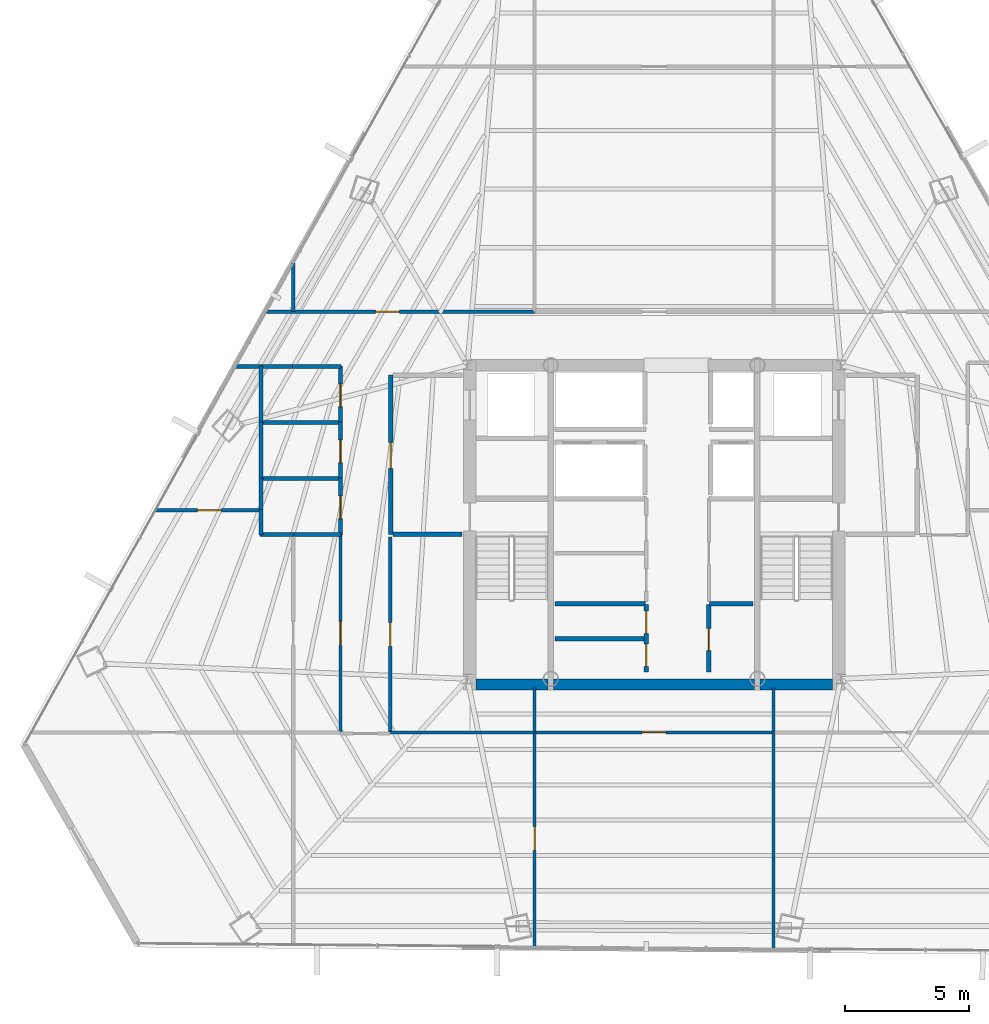
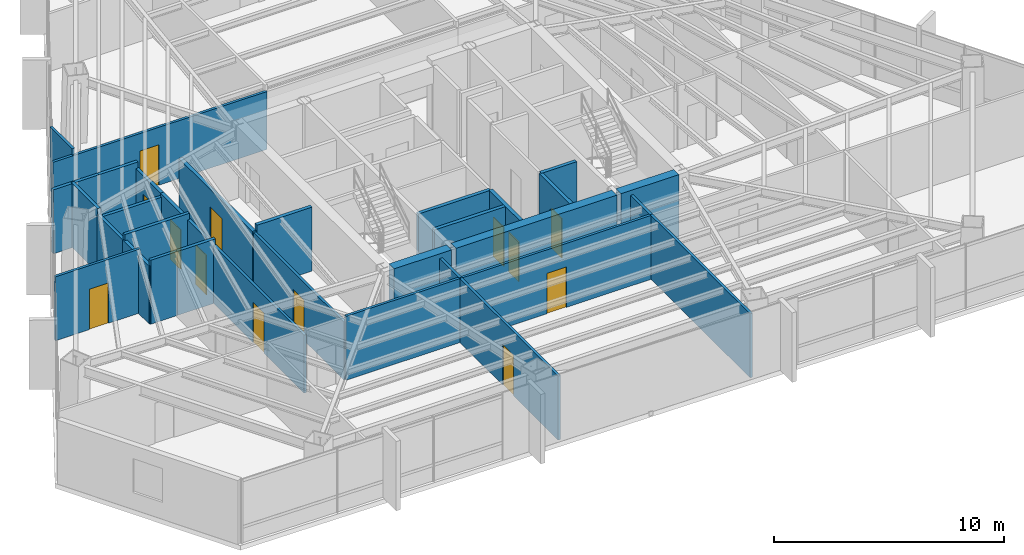
# One storey, part 33 of 38: 34 walls, 13 doors, 13 openings.
"""IFC4 building model written with IfcOpenShell, lengths in metres."""

from ifc_helpers import new_model, si_unit, direction, frame, frame_2d, origin, place, context, subcontext, project, spatial, rectangle, extrude, material, layer, layer_set, type_object, element, fill, save


model = new_model("IFC4")

# Units and contexts
model_context = context("Model", 3, precision=1e-05, world=origin(), true_north=direction((0.0, 1.0)))
body_context = subcontext(model_context, "Body", "Model", "MODEL_VIEW")
ifc_project = project(units=[si_unit("LENGTHUNIT", "METRE"), si_unit("AREAUNIT", "SQUARE_METRE"), si_unit("VOLUMEUNIT", "CUBIC_METRE"), si_unit("PLANEANGLEUNIT", "RADIAN"), si_unit("MASSUNIT", "GRAM", prefix="KILO")], contexts=[model_context])

# Site, building, storey
site_placement = place(None, origin())
site = spatial("IfcSite", under=ifc_project, at=site_placement, CompositionType="ELEMENT")
building_placement = place(site_placement, origin())
building = spatial("IfcBuilding", under=site, at=building_placement, Name="Caelisora Broadcast Tower", CompositionType="ELEMENT")
storey_placement = place(building_placement, frame((0.0, 0.0, 158.5)))
storey = spatial("IfcBuildingStorey", under=building, at=storey_placement, Name="L41", CompositionType="ELEMENT", Elevation=158.5)

# Walls
ifc_material_1 = material(Name="Concrete 50 MPa (AS 3600 S50)", Category="concrete")
ifc_layer_1 = layer(ifc_material_1, 0.449951171875, Name="Concrete 50 MPa (AS 3600 S50)")
ifc_layer_set_1 = layer_set([ifc_layer_1], Name="Concrete 50 MPa (AS 3600 S50)")
wall_type_1 = type_object("IfcWallType", Name="CW5", PredefinedType="SHEAR", material=ifc_layer_set_1)
wall_1_placement = place(storey_placement, frame((30.840087890625, 17.175048828125, 0.0), z_axis=(0.0, 0.0, 1.0), x_axis=(1.0, 0.0, 0.0)))
element("IfcWall", 1, at=wall_1_placement, inside=storey, type_object=wall_type_1, Name="L41 core shear wall CW5", PredefinedType="SHEAR", context=body_context, shape_type="SweptSolid", body=[
    extrude(rectangle(XDim=2.89990234375, YDim=0.449951171875, at=frame_2d((1.449951171875, 0.0))), origin(), (0.0, 0.0, 1.0), 3.64990234375),
])
wall_2_placement = place(storey_placement, frame((33.9599609375, 17.175048828125, 0.0), z_axis=(0.0, 0.0, 1.0), x_axis=(1.0, 0.0, 0.0)))
element("IfcWall", 2, at=wall_2_placement, inside=storey, type_object=wall_type_1, Name="L41 core shear wall CW5", PredefinedType="SHEAR", context=body_context, shape_type="SweptSolid", body=[
    extrude(rectangle(XDim=8.080078125, YDim=0.449951171875, at=frame_2d((4.0400390625, 0.0))), origin(), (0.0, 0.0, 1.0), 3.64990234375),
])
wall_3_placement = place(storey_placement, frame((42.260009765625, 17.175048828125, 0.0), z_axis=(0.0, 0.0, 1.0), x_axis=(1.0, 0.0, 0.0)))
element("IfcWall", 3, at=wall_3_placement, inside=storey, type_object=wall_type_1, Name="L41 core shear wall CW5", PredefinedType="SHEAR", context=body_context, shape_type="SweptSolid", body=[
    extrude(rectangle(XDim=2.89990234375, YDim=0.449951171875, at=frame_2d((1.449951171875, 0.0))), origin(), (0.0, 0.0, 1.0), 3.64990234375),
])

# Wall, opening, door
ifc_material_2 = material(Name="Fire-Rated Gypsum Shaft and Compartment Wall", Category="gypsum")
ifc_layer_2 = layer(ifc_material_2, 0.179931640625, Name="Fire-Rated Gypsum Shaft and Compartment Wall")
ifc_layer_set_2 = layer_set([ifc_layer_2], Name="Fire-Rated Gypsum Shaft and Compartment Wall")
wall_type_2 = type_object("IfcWallType", Name="PW2", PredefinedType="PARTITIONING", material=ifc_layer_set_2)
wall_4_placement = place(storey_placement, frame((27.419921875, 23.199951171875, 0.0), z_axis=(0.0, 0.0, 1.0), x_axis=(0.0, 1.0, 0.0)))
wall_4 = element("IfcWall", 4, at=wall_4_placement, inside=storey, type_object=wall_type_2, Name="L41 fire compartment wall PW2", PredefinedType="PARTITIONING", context=body_context, shape_type="SweptSolid", body=[
    extrude(rectangle(XDim=6.400146484375, YDim=0.179931640625, at=frame_2d((3.2001953125, 0.0))), origin(), (0.0, 0.0, 1.0), 3.077880859375),
])
opening_1_placement = place(wall_4_placement, frame((2.64990234375, 0.0, 0.0)))
opening_1 = element("IfcOpeningElement", 5, at=opening_1_placement, cuts=wall_4, Name="Opening FD02", PredefinedType="OPENING", context=body_context, shape_type="SweptSolid", body=[
    extrude(rectangle(XDim=1.050048828125, YDim=2.14990234375, at=frame_2d((0.52490234375, 1.074951171875))), frame((0.0, 0.10205078125, 0.0), z_axis=(0.0, -1.0, 0.0), x_axis=(1.0, 0.0, 0.0)), (0.0, 0.0, 1.0), 0.203857421875),
])
ifc_material_3 = material(Name="Single-Leaf Steel Fire Lobby Door", Category="steel")
door_type_1 = type_object("IfcDoorType", Name="FD02", OperationType="NOTDEFINED", PredefinedType="DOOR", material=ifc_material_3)
door_1_placement = place(opening_1_placement, origin())
door_1 = element("IfcDoor", 6, at=door_1_placement, inside=storey, type_object=door_type_1, Name="L41 door FD02 (L41-DR-P01D1)", OperationType="SINGLE_SWING_LEFT", OverallHeight=2.14990234375, OverallWidth=1.050048828125, PredefinedType="DOOR", context=body_context, shape_type="SweptSolid", body=[
    extrude(rectangle(XDim=1.050048828125, YDim=2.14990234375, at=frame_2d((0.52490234375, 1.074951171875))), frame((0.0, 0.02490234375, 0.0), z_axis=(0.0, -1.0, 0.0), x_axis=(1.0, 0.0, 0.0)), (0.0, 0.0, 1.0), 0.050048828125),
])
fill(opening_1, door_1)

# Walls
wall_5_placement = place(storey_placement, frame((27.52001953125, 23.199951171875, 0.0), z_axis=(0.0, 0.0, 1.0), x_axis=(1.0, 0.0, 0.0)))
element("IfcWall", 7, at=wall_5_placement, inside=storey, type_object=wall_type_2, Name="L41 fire compartment wall PW2", PredefinedType="PARTITIONING", context=body_context, shape_type="SweptSolid", body=[
    extrude(rectangle(XDim=2.760009765625, YDim=0.179931640625, at=frame_2d((1.3798828125, 0.0))), origin(), (0.0, 0.0, 1.0), 3.39990234375),
])
wall_6_placement = place(storey_placement, frame((34.02001953125, 20.419921875, 0.0), z_axis=(0.0, 0.0, 1.0), x_axis=(1.0, 0.0, 0.0)))
element("IfcWall", 8, at=wall_6_placement, inside=storey, type_object=wall_type_2, Name="L41 fire compartment wall PW2", PredefinedType="PARTITIONING", context=body_context, shape_type="SweptSolid", body=[
    extrude(rectangle(XDim=3.639892578125, YDim=0.179931640625, at=frame_2d((1.81982421875, 0.0))), origin(), (0.0, 0.0, 1.0), 3.39990234375),
])
wall_7_placement = place(storey_placement, frame((40.219970703125, 20.419921875, 0.0), z_axis=(0.0, 0.0, 1.0), x_axis=(1.0, 0.0, 0.0)))
element("IfcWall", 9, at=wall_7_placement, inside=storey, type_object=wall_type_2, Name="L41 fire compartment wall PW2", PredefinedType="PARTITIONING", context=body_context, shape_type="SweptSolid", body=[
    extrude(rectangle(XDim=1.760009765625, YDim=0.179931640625, at=frame_2d((0.8798828125, 0.0))), origin(), (0.0, 0.0, 1.0), 3.39990234375),
])
wall_8_placement = place(storey_placement, frame((34.02001953125, 19.02001953125, 0.0), z_axis=(0.0, 0.0, 1.0), x_axis=(1.0, 0.0, 0.0)))
element("IfcWall", 10, at=wall_8_placement, inside=storey, type_object=wall_type_2, Name="L41 fire compartment wall PW2", PredefinedType="PARTITIONING", context=body_context, shape_type="SweptSolid", body=[
    extrude(rectangle(XDim=3.580078125, YDim=0.179931640625, at=frame_2d((1.7900390625, 0.0))), origin(), (0.0, 0.0, 1.0), 3.39990234375),
])

# Wall, openings, doors
wall_9_placement = place(storey_placement, frame((37.679931640625, 17.679931640625, 0.0), z_axis=(0.0, 0.0, 1.0), x_axis=(0.0, 1.0, 0.0)))
wall_9 = element("IfcWall", 11, at=wall_9_placement, inside=storey, type_object=wall_type_2, Name="L41 fire compartment wall PW2", PredefinedType="PARTITIONING", context=body_context, shape_type="SweptSolid", body=[
    extrude(rectangle(XDim=2.699951171875, YDim=0.179931640625, at=frame_2d((1.35009765625, 0.0))), origin(), (0.0, 0.0, 1.0), 3.39990234375),
])
opening_2_placement = place(wall_9_placement, frame((0.219970703125, 0.0, 0.0)))
opening_2 = element("IfcOpeningElement", 12, at=opening_2_placement, cuts=wall_9, Name="Opening FD03", PredefinedType="OPENING", context=body_context, shape_type="SweptSolid", body=[
    extrude(rectangle(XDim=0.89990234375, YDim=2.10009765625, at=frame_2d((0.449951171875, 1.050048828125))), frame((0.0, 0.10205078125, 0.0), z_axis=(0.0, -1.0, 0.0), x_axis=(1.0, 0.0, 0.0)), (0.0, 0.0, 1.0), 0.203857421875),
])
opening_3_placement = place(wall_9_placement, frame((1.5400390625, 0.0, 0.0)))
opening_3 = element("IfcOpeningElement", 13, at=opening_3_placement, cuts=wall_9, Name="Opening FD03", PredefinedType="OPENING", context=body_context, shape_type="SweptSolid", body=[
    extrude(rectangle(XDim=0.89990234375, YDim=2.10009765625, at=frame_2d((0.449951171875, 1.050048828125))), frame((0.0, 0.10205078125, 0.0), z_axis=(0.0, -1.0, 0.0), x_axis=(1.0, 0.0, 0.0)), (0.0, 0.0, 1.0), 0.203857421875),
])
ifc_material_4 = material(Name="Single-Leaf Steel Riser Fire Access Door", Category="steel")
door_type_2 = type_object("IfcDoorType", Name="FD03", OperationType="NOTDEFINED", PredefinedType="DOOR", material=ifc_material_4)
door_2_placement = place(opening_2_placement, origin())
door_2 = element("IfcDoor", 14, at=door_2_placement, inside=storey, type_object=door_type_2, Name="L41 door FD03 (L41-DR-P15D1)", OperationType="SINGLE_SWING_RIGHT", OverallHeight=2.10009765625, OverallWidth=0.89990234375, PredefinedType="DOOR", context=body_context, shape_type="SweptSolid", body=[
    extrude(rectangle(XDim=0.89990234375, YDim=2.10009765625, at=frame_2d((0.449951171875, 1.050048828125))), frame((0.0, 0.02490234375, 0.0), z_axis=(0.0, -1.0, 0.0), x_axis=(1.0, 0.0, 0.0)), (0.0, 0.0, 1.0), 0.050048828125),
])
fill(opening_2, door_2)
door_3_placement = place(opening_3_placement, origin())
door_3 = element("IfcDoor", 15, at=door_3_placement, inside=storey, type_object=door_type_2, Name="L41 door FD03 (L41-DR-P15D2)", OperationType="SINGLE_SWING_LEFT", OverallHeight=2.10009765625, OverallWidth=0.89990234375, PredefinedType="DOOR", context=body_context, shape_type="SweptSolid", body=[
    extrude(rectangle(XDim=0.89990234375, YDim=2.10009765625, at=frame_2d((0.449951171875, 1.050048828125))), frame((0.0, 0.02490234375, 0.0), z_axis=(0.0, -1.0, 0.0), x_axis=(1.0, 0.0, 0.0)), (0.0, 0.0, 1.0), 0.050048828125),
])
fill(opening_3, door_3)

# Wall, opening, door
wall_10_placement = place(storey_placement, frame((40.199951171875, 17.679931640625, 0.0), z_axis=(0.0, 0.0, 1.0), x_axis=(0.0, 1.0, 0.0)))
wall_10 = element("IfcWall", 16, at=wall_10_placement, inside=storey, type_object=wall_type_2, Name="L41 fire compartment wall PW2", PredefinedType="PARTITIONING", context=body_context, shape_type="SweptSolid", body=[
    extrude(rectangle(XDim=2.699951171875, YDim=0.179931640625, at=frame_2d((1.35009765625, 0.0))), origin(), (0.0, 0.0, 1.0), 3.39990234375),
])
opening_4_placement = place(wall_10_placement, frame((0.85009765625, 0.0, 0.0)))
opening_4 = element("IfcOpeningElement", 17, at=opening_4_placement, cuts=wall_10, Name="Opening FD03", PredefinedType="OPENING", context=body_context, shape_type="SweptSolid", body=[
    extrude(rectangle(XDim=0.89990234375, YDim=2.10009765625, at=frame_2d((0.449951171875, 1.050048828125))), frame((0.0, 0.10205078125, 0.0), z_axis=(0.0, -1.0, 0.0), x_axis=(1.0, 0.0, 0.0)), (0.0, 0.0, 1.0), 0.203857421875),
])
door_4_placement = place(opening_4_placement, origin())
door_4 = element("IfcDoor", 18, at=door_4_placement, inside=storey, type_object=door_type_2, Name="L41 door FD03 (L41-DR-P16D1)", OperationType="SINGLE_SWING_RIGHT", OverallHeight=2.10009765625, OverallWidth=0.89990234375, PredefinedType="DOOR", context=body_context, shape_type="SweptSolid", body=[
    extrude(rectangle(XDim=0.89990234375, YDim=2.10009765625, at=frame_2d((0.449951171875, 1.050048828125))), frame((0.0, 0.02490234375, 0.0), z_axis=(0.0, -1.0, 0.0), x_axis=(1.0, 0.0, 0.0)), (0.0, 0.0, 1.0), 0.050048828125),
])
fill(opening_4, door_4)

ifc_material_5 = material(Name="Acoustic Steel-Stud Plasterboard Partition", Category="gypsum")
ifc_layer_3 = layer(ifc_material_5, 0.1298828125, Name="Acoustic Steel-Stud Plasterboard Partition")
ifc_layer_set_3 = layer_set([ifc_layer_3], Name="Acoustic Steel-Stud Plasterboard Partition")
wall_type_3 = type_object("IfcWallType", Name="PW3", PredefinedType="PARTITIONING", material=ifc_layer_set_3)
wall_11_placement = place(storey_placement, frame((22.436279296875, 32.14990234375, 0.0), z_axis=(0.0, 0.0, 1.0), x_axis=(1.0, 0.0, 0.0)))
wall_11 = element("IfcWall", 19, at=wall_11_placement, inside=storey, type_object=wall_type_3, Name="L41 internal partition PW3", PredefinedType="PARTITIONING", context=body_context, shape_type="SweptSolid", body=[
    extrude(rectangle(XDim=10.7587890625, YDim=0.1298828125, at=frame_2d((5.37939453125, 0.0))), origin(), (0.0, 0.0, 1.0), 3.077880859375),
])
opening_5_placement = place(wall_11_placement, frame((4.364990234375, 0.0, 0.0)))
opening_5 = element("IfcOpeningElement", 20, at=opening_5_placement, cuts=wall_11, Name="Opening D01", PredefinedType="OPENING", context=body_context, shape_type="SweptSolid", body=[
    extrude(rectangle(XDim=0.9599609375, YDim=2.14990234375, at=frame_2d((0.47998046875, 1.074951171875))), frame((0.0, 0.076904296875, 0.0), z_axis=(0.0, -1.0, 0.0), x_axis=(1.0, 0.0, 0.0)), (0.0, 0.0, 1.0), 0.15380859375),
])
ifc_material_6 = material(Name="Solid-Core Timber Acoustic Office Door", Category="wood")
door_type_3 = type_object("IfcDoorType", Name="D01", OperationType="NOTDEFINED", PredefinedType="DOOR", material=ifc_material_6)
door_5_placement = place(opening_5_placement, origin())
door_5 = element("IfcDoor", 21, at=door_5_placement, inside=storey, type_object=door_type_3, Name="L41 door D01 (L41-DR-P35D1)", OperationType="SINGLE_SWING_LEFT", OverallHeight=2.14990234375, OverallWidth=0.9599609375, PredefinedType="DOOR", context=body_context, shape_type="SweptSolid", body=[
    extrude(rectangle(XDim=0.9599609375, YDim=2.14990234375, at=frame_2d((0.47998046875, 1.074951171875))), frame((0.0, 0.02490234375, 0.0), z_axis=(0.0, -1.0, 0.0), x_axis=(1.0, 0.0, 0.0)), (0.0, 0.0, 1.0), 0.050048828125),
])
fill(opening_5, door_5)

wall_12_placement = place(storey_placement, frame((33.205078125, 15.25, 0.0), z_axis=(0.0, 0.0, 1.0), x_axis=(1.0, 0.0, 0.0)))
wall_12 = element("IfcWall", 22, at=wall_12_placement, inside=storey, type_object=wall_type_3, Name="L41 internal partition PW3", PredefinedType="PARTITIONING", context=body_context, shape_type="SweptSolid", body=[
    extrude(rectangle(XDim=9.58984375, YDim=0.1298828125, at=frame_2d((4.794921875, 0.0))), origin(), (0.0, 0.0, 1.0), 3.39990234375),
])
opening_6_placement = place(wall_12_placement, frame((4.31494140625, 0.0, 0.0)))
opening_6 = element("IfcOpeningElement", 23, at=opening_6_placement, cuts=wall_12, Name="Opening D01", PredefinedType="OPENING", context=body_context, shape_type="SweptSolid", body=[
    extrude(rectangle(XDim=0.9599609375, YDim=2.14990234375, at=frame_2d((0.47998046875, 1.074951171875))), frame((0.0, 0.076904296875, 0.0), z_axis=(0.0, -1.0, 0.0), x_axis=(1.0, 0.0, 0.0)), (0.0, 0.0, 1.0), 0.15380859375),
])
door_6_placement = place(opening_6_placement, origin())
door_6 = element("IfcDoor", 24, at=door_6_placement, inside=storey, type_object=door_type_3, Name="L41 door D01 (L41-DR-P39D1)", OperationType="SINGLE_SWING_LEFT", OverallHeight=2.14990234375, OverallWidth=0.9599609375, PredefinedType="DOOR", context=body_context, shape_type="SweptSolid", body=[
    extrude(rectangle(XDim=0.9599609375, YDim=2.14990234375, at=frame_2d((0.47998046875, 1.074951171875))), frame((0.0, 0.02490234375, 0.0), z_axis=(0.0, -1.0, 0.0), x_axis=(1.0, 0.0, 0.0)), (0.0, 0.0, 1.0), 0.050048828125),
])
fill(opening_6, door_6)

# Wall
wall_13_placement = place(storey_placement, frame((42.800048828125, 6.55224609375, 0.0), z_axis=(0.0, 0.0, 1.0), x_axis=(0.0, 1.0, 0.0)))
element("IfcWall", 25, at=wall_13_placement, inside=storey, type_object=wall_type_3, Name="L41 internal partition PW3", PredefinedType="PARTITIONING", context=body_context, shape_type="SweptSolid", body=[
    extrude(rectangle(XDim=8.69287109375, YDim=0.1298828125, at=frame_2d((4.346435546875, 0.0))), origin(), (0.0, 0.0, 1.0), 3.39990234375),
])

# Wall, opening, door
wall_14_placement = place(storey_placement, frame((33.199951171875, 6.63232421875, 0.0), z_axis=(0.0, 0.0, 1.0), x_axis=(0.0, 1.0, 0.0)))
wall_14 = element("IfcWall", 26, at=wall_14_placement, inside=storey, type_object=wall_type_3, Name="L41 internal partition PW3", PredefinedType="PARTITIONING", context=body_context, shape_type="SweptSolid", body=[
    extrude(rectangle(XDim=8.61279296875, YDim=0.1298828125, at=frame_2d((4.306396484375, 0.0))), origin(), (0.0, 0.0, 1.0), 3.39990234375),
])
opening_7_placement = place(wall_14_placement, frame((3.8720703125, 0.0, 0.0)))
opening_7 = element("IfcOpeningElement", 27, at=opening_7_placement, cuts=wall_14, Name="Opening D01", PredefinedType="OPENING", context=body_context, shape_type="SweptSolid", body=[
    extrude(rectangle(XDim=0.9599609375, YDim=2.14990234375, at=frame_2d((0.47998046875, 1.074951171875))), frame((0.0, 0.076904296875, 0.0), z_axis=(0.0, -1.0, 0.0), x_axis=(1.0, 0.0, 0.0)), (0.0, 0.0, 1.0), 0.15380859375),
])
door_7_placement = place(opening_7_placement, origin())
door_7 = element("IfcDoor", 28, at=door_7_placement, inside=storey, type_object=door_type_3, Name="L41 door D01 (L41-DR-P46D1)", OperationType="SINGLE_SWING_RIGHT", OverallHeight=2.14990234375, OverallWidth=0.9599609375, PredefinedType="DOOR", context=body_context, shape_type="SweptSolid", body=[
    extrude(rectangle(XDim=0.9599609375, YDim=2.14990234375, at=frame_2d((0.47998046875, 1.074951171875))), frame((0.0, 0.02490234375, 0.0), z_axis=(0.0, -1.0, 0.0), x_axis=(1.0, 0.0, 0.0)), (0.0, 0.0, 1.0), 0.050048828125),
])
fill(opening_7, door_7)

wall_15_placement = place(storey_placement, frame((25.39990234375, 15.2548828125, 0.0), z_axis=(0.0, 0.0, 1.0), x_axis=(0.0, 1.0, 0.0)))
wall_15 = element("IfcWall", 29, at=wall_15_placement, inside=storey, type_object=wall_type_3, Name="L41 internal partition PW3", PredefinedType="PARTITIONING", context=body_context, shape_type="SweptSolid", body=[
    extrude(rectangle(XDim=7.940185546875, YDim=0.1298828125, at=frame_2d((3.97021484375, 0.0))), origin(), (0.0, 0.0, 1.0), 3.077880859375),
])
opening_8_placement = place(wall_15_placement, frame((3.489990234375, 0.0, 0.0)))
opening_8 = element("IfcOpeningElement", 30, at=opening_8_placement, cuts=wall_15, Name="Opening D01", PredefinedType="OPENING", context=body_context, shape_type="SweptSolid", body=[
    extrude(rectangle(XDim=0.9599609375, YDim=2.14990234375, at=frame_2d((0.47998046875, 1.074951171875))), frame((0.0, 0.076904296875, 0.0), z_axis=(0.0, -1.0, 0.0), x_axis=(1.0, 0.0, 0.0)), (0.0, 0.0, 1.0), 0.15380859375),
])
door_8_placement = place(opening_8_placement, origin())
door_8 = element("IfcDoor", 31, at=door_8_placement, inside=storey, type_object=door_type_3, Name="L41 door D01 (L41-DR-P49D1)", OperationType="SINGLE_SWING_LEFT", OverallHeight=2.14990234375, OverallWidth=0.9599609375, PredefinedType="DOOR", context=body_context, shape_type="SweptSolid", body=[
    extrude(rectangle(XDim=0.9599609375, YDim=2.14990234375, at=frame_2d((0.47998046875, 1.074951171875))), frame((0.0, 0.02490234375, 0.0), z_axis=(0.0, -1.0, 0.0), x_axis=(1.0, 0.0, 0.0)), (0.0, 0.0, 1.0), 0.050048828125),
])
fill(opening_8, door_8)

wall_16_placement = place(storey_placement, frame((27.39990234375, 15.2548828125, 0.0), z_axis=(0.0, 0.0, 1.0), x_axis=(0.0, 1.0, 0.0)))
wall_16 = element("IfcWall", 32, at=wall_16_placement, inside=storey, type_object=wall_type_3, Name="L41 internal partition PW3", PredefinedType="PARTITIONING", context=body_context, shape_type="SweptSolid", body=[
    extrude(rectangle(XDim=7.85009765625, YDim=0.1298828125, at=frame_2d((3.925048828125, 0.0))), origin(), (0.0, 0.0, 1.0), 3.077880859375),
])
opening_9_placement = place(wall_16_placement, frame((3.445068359375, 0.0, 0.0)))
opening_9 = element("IfcOpeningElement", 33, at=opening_9_placement, cuts=wall_16, Name="Opening D01", PredefinedType="OPENING", context=body_context, shape_type="SweptSolid", body=[
    extrude(rectangle(XDim=0.9599609375, YDim=2.14990234375, at=frame_2d((0.47998046875, 1.074951171875))), frame((0.0, 0.076904296875, 0.0), z_axis=(0.0, -1.0, 0.0), x_axis=(1.0, 0.0, 0.0)), (0.0, 0.0, 1.0), 0.15380859375),
])
door_9_placement = place(opening_9_placement, origin())
door_9 = element("IfcDoor", 34, at=door_9_placement, inside=storey, type_object=door_type_3, Name="L41 door D01 (L41-DR-P51D1)", OperationType="SINGLE_SWING_LEFT", OverallHeight=2.14990234375, OverallWidth=0.9599609375, PredefinedType="DOOR", context=body_context, shape_type="SweptSolid", body=[
    extrude(rectangle(XDim=0.9599609375, YDim=2.14990234375, at=frame_2d((0.47998046875, 1.074951171875))), frame((0.0, 0.02490234375, 0.0), z_axis=(0.0, -1.0, 0.0), x_axis=(1.0, 0.0, 0.0)), (0.0, 0.0, 1.0), 0.050048828125),
])
fill(opening_9, door_9)

# Wall
wall_17_placement = place(storey_placement, frame((27.405029296875, 15.25, 0.0), z_axis=(0.0, 0.0, 1.0), x_axis=(1.0, 0.0, 0.0)))
element("IfcWall", 35, at=wall_17_placement, inside=storey, type_object=wall_type_3, Name="L41 internal partition PW3", PredefinedType="PARTITIONING", context=body_context, shape_type="SweptSolid", body=[
    extrude(rectangle(XDim=5.7900390625, YDim=0.1298828125, at=frame_2d((2.89501953125, 0.0))), origin(), (0.0, 0.0, 1.0), 3.39990234375),
])

# Wall, opening, door
wall_18_placement = place(storey_placement, frame((17.9541015625, 24.169921875, 0.0), z_axis=(0.0, 0.0, 1.0), x_axis=(1.0, 0.0, 0.0)))
wall_18 = element("IfcWall", 36, at=wall_18_placement, inside=storey, type_object=wall_type_3, Name="L41 internal partition PW3", PredefinedType="PARTITIONING", context=body_context, shape_type="SweptSolid", body=[
    extrude(rectangle(XDim=4.240966796875, YDim=0.1298828125, at=frame_2d((2.12060546875, 0.0))), origin(), (0.0, 0.0, 1.0), 3.39990234375),
])
opening_10_placement = place(wall_18_placement, frame((1.697998046875, 0.0, 0.0)))
opening_10 = element("IfcOpeningElement", 37, at=opening_10_placement, cuts=wall_18, Name="Opening D01", PredefinedType="OPENING", context=body_context, shape_type="SweptSolid", body=[
    extrude(rectangle(XDim=0.9599609375, YDim=2.14990234375, at=frame_2d((0.47998046875, 1.074951171875))), frame((0.0, 0.076904296875, 0.0), z_axis=(0.0, -1.0, 0.0), x_axis=(1.0, 0.0, 0.0)), (0.0, 0.0, 1.0), 0.15380859375),
])
door_10_placement = place(opening_10_placement, origin())
door_10 = element("IfcDoor", 38, at=door_10_placement, inside=storey, type_object=door_type_3, Name="L41 door D01 (L41-DR-P58D1)", OperationType="SINGLE_SWING_RIGHT", OverallHeight=2.14990234375, OverallWidth=0.9599609375, PredefinedType="DOOR", context=body_context, shape_type="SweptSolid", body=[
    extrude(rectangle(XDim=0.9599609375, YDim=2.14990234375, at=frame_2d((0.47998046875, 1.074951171875))), frame((0.0, 0.02490234375, 0.0), z_axis=(0.0, -1.0, 0.0), x_axis=(1.0, 0.0, 0.0)), (0.0, 0.0, 1.0), 0.050048828125),
])
fill(opening_10, door_10)

# Walls
wall_19_placement = place(storey_placement, frame((23.5, 32.155029296875, 0.0), z_axis=(0.0, 0.0, 1.0), x_axis=(0.0, 1.0, 0.0)))
element("IfcWall", 39, at=wall_19_placement, inside=storey, type_object=wall_type_3, Name="L41 internal partition PW3", PredefinedType="PARTITIONING", context=body_context, shape_type="SweptSolid", body=[
    extrude(rectangle(XDim=1.945556640625, YDim=0.1298828125, at=frame_2d((0.97265625, 0.0))), origin(), (0.0, 0.0, 1.0), 3.39990234375),
])
for number, where, z_axis, x_axis, name in (
    (40, (33.199951171875, 15.2548828125, 0.0), (0.0, 0.0, 1.0), (0.0, 1.0, 0.0), "L41 internal partition PW3"),
    (41, (42.800048828125, 15.2548828125, 0.0), (0.0, 0.0, 1.0), (0.0, 1.0, 0.0), "L41 internal partition PW3"),
):
    element("IfcWall", number, at=place(storey_placement, frame(where, z_axis=z_axis, x_axis=x_axis)), inside=storey, type_object=wall_type_3, Name=name, PredefinedType="PARTITIONING", context=body_context, shape_type="SweptSolid", body=[
        extrude(rectangle(XDim=1.77001953125, YDim=0.1298828125, at=frame_2d((0.885009765625, 0.0))), origin(), (0.0, 0.0, 1.0), 3.39990234375),
    ])
ifc_material_7 = material(Name="Moisture-Resistant Wet Plumbing Service Wall", Category="gypsum")
ifc_layer_4 = layer(ifc_material_7, 0.159912109375, Name="Moisture-Resistant Wet Plumbing Service Wall")
ifc_layer_set_4 = layer_set([ifc_layer_4], Name="Moisture-Resistant Wet Plumbing Service Wall")
wall_type_4 = type_object("IfcWallType", Name="PW4", PredefinedType="PLUMBINGWALL", material=ifc_layer_set_4)
wall_20_placement = place(storey_placement, frame((22.175048828125, 25.449951171875, 0.0), z_axis=(0.0, 0.0, 1.0), x_axis=(1.0, 0.0, 0.0)))
element("IfcWall", 42, at=wall_20_placement, inside=storey, type_object=wall_type_4, Name="L41 wet plumbing wall PW4", PredefinedType="PLUMBINGWALL", context=body_context, shape_type="SweptSolid", body=[
    extrude(rectangle(XDim=3.25, YDim=0.159912109375, at=frame_2d((1.625, 0.0))), origin(), (0.0, 0.0, 1.0), 3.39990234375),
])
wall_21_placement = place(storey_placement, frame((22.175048828125, 27.699951171875, 0.0), z_axis=(0.0, 0.0, 1.0), x_axis=(1.0, 0.0, 0.0)))
element("IfcWall", 43, at=wall_21_placement, inside=storey, type_object=wall_type_4, Name="L41 wet plumbing wall PW4", PredefinedType="PLUMBINGWALL", context=body_context, shape_type="SweptSolid", body=[
    extrude(rectangle(XDim=3.25, YDim=0.159912109375, at=frame_2d((1.625, 0.0))), origin(), (0.0, 0.0, 1.0), 2.924560546875),
])

# Wall, opening, door
wall_22_placement = place(storey_placement, frame((25.39990234375, 23.175048828125, 0.0), z_axis=(0.0, 0.0, 1.0), x_axis=(0.0, 1.0, 0.0)))
wall_22 = element("IfcWall", 44, at=wall_22_placement, inside=storey, type_object=wall_type_4, Name="L41 wet plumbing wall PW4", PredefinedType="PLUMBINGWALL", context=body_context, shape_type="SweptSolid", body=[
    extrude(rectangle(XDim=2.300048828125, YDim=0.159912109375, at=frame_2d((1.14990234375, 0.0))), origin(), (0.0, 0.0, 1.0), 3.077880859375),
])
opening_11_placement = place(wall_22_placement, frame((0.659912109375, 0.0, 0.0)))
opening_11 = element("IfcOpeningElement", 45, at=opening_11_placement, cuts=wall_22, Name="Opening D03", PredefinedType="OPENING", context=body_context, shape_type="SweptSolid", body=[
    extrude(rectangle(XDim=0.919921875, YDim=2.10009765625, at=frame_2d((0.4599609375, 1.050048828125))), frame((0.0, 0.092041015625, 0.0), z_axis=(0.0, -1.0, 0.0), x_axis=(1.0, 0.0, 0.0)), (0.0, 0.0, 1.0), 0.183837890625),
])
ifc_material_8 = material(Name="Laminate Moisture-Resistant Amenity WC Door", Category="wood")
door_type_4 = type_object("IfcDoorType", Name="D03", OperationType="NOTDEFINED", PredefinedType="DOOR", material=ifc_material_8)
door_11_placement = place(opening_11_placement, origin())
door_11 = element("IfcDoor", 46, at=door_11_placement, inside=storey, type_object=door_type_4, Name="L41 door D03 (L41-DR-P19D1)", OperationType="SINGLE_SWING_LEFT", OverallHeight=2.10009765625, OverallWidth=0.919921875, PredefinedType="DOOR", context=body_context, shape_type="SweptSolid", body=[
    extrude(rectangle(XDim=0.919921875, YDim=2.10009765625, at=frame_2d((0.4599609375, 1.050048828125))), frame((0.0, 0.02490234375, 0.0), z_axis=(0.0, -1.0, 0.0), x_axis=(1.0, 0.0, 0.0)), (0.0, 0.0, 1.0), 0.050048828125),
])
fill(opening_11, door_11)

wall_23_placement = place(storey_placement, frame((25.39990234375, 25.425048828125, 0.0), z_axis=(0.0, 0.0, 1.0), x_axis=(0.0, 1.0, 0.0)))
wall_23 = element("IfcWall", 47, at=wall_23_placement, inside=storey, type_object=wall_type_4, Name="L41 wet plumbing wall PW4", PredefinedType="PLUMBINGWALL", context=body_context, shape_type="SweptSolid", body=[
    extrude(rectangle(XDim=2.300048828125, YDim=0.159912109375, at=frame_2d((1.14990234375, 0.0))), origin(), (0.0, 0.0, 1.0), 3.077880859375),
])
opening_12_placement = place(wall_23_placement, frame((0.659912109375, 0.0, 0.0)))
opening_12 = element("IfcOpeningElement", 48, at=opening_12_placement, cuts=wall_23, Name="Opening D03", PredefinedType="OPENING", context=body_context, shape_type="SweptSolid", body=[
    extrude(rectangle(XDim=0.919921875, YDim=2.10009765625, at=frame_2d((0.4599609375, 1.050048828125))), frame((0.0, 0.092041015625, 0.0), z_axis=(0.0, -1.0, 0.0), x_axis=(1.0, 0.0, 0.0)), (0.0, 0.0, 1.0), 0.183837890625),
])
door_12_placement = place(opening_12_placement, origin())
door_12 = element("IfcDoor", 49, at=door_12_placement, inside=storey, type_object=door_type_4, Name="L41 door D03 (L41-DR-P20D1)", OperationType="SINGLE_SWING_RIGHT", OverallHeight=2.10009765625, OverallWidth=0.919921875, PredefinedType="DOOR", context=body_context, shape_type="SweptSolid", body=[
    extrude(rectangle(XDim=0.919921875, YDim=2.10009765625, at=frame_2d((0.4599609375, 1.050048828125))), frame((0.0, 0.02490234375, 0.0), z_axis=(0.0, -1.0, 0.0), x_axis=(1.0, 0.0, 0.0)), (0.0, 0.0, 1.0), 0.050048828125),
])
fill(opening_12, door_12)

wall_24_placement = place(storey_placement, frame((25.39990234375, 27.675048828125, 0.0), z_axis=(0.0, 0.0, 1.0), x_axis=(0.0, 1.0, 0.0)))
wall_24 = element("IfcWall", 50, at=wall_24_placement, inside=storey, type_object=wall_type_4, Name="L41 wet plumbing wall PW4", PredefinedType="PLUMBINGWALL", context=body_context, shape_type="SweptSolid", body=[
    extrude(rectangle(XDim=2.300048828125, YDim=0.159912109375, at=frame_2d((1.14990234375, 0.0))), origin(), (0.0, 0.0, 1.0), 3.077880859375),
])
opening_13_placement = place(wall_24_placement, frame((0.659912109375, 0.0, 0.0)))
opening_13 = element("IfcOpeningElement", 51, at=opening_13_placement, cuts=wall_24, Name="Opening D03", PredefinedType="OPENING", context=body_context, shape_type="SweptSolid", body=[
    extrude(rectangle(XDim=0.919921875, YDim=2.10009765625, at=frame_2d((0.4599609375, 1.050048828125))), frame((0.0, 0.092041015625, 0.0), z_axis=(0.0, -1.0, 0.0), x_axis=(1.0, 0.0, 0.0)), (0.0, 0.0, 1.0), 0.183837890625),
])
door_13_placement = place(opening_13_placement, origin())
door_13 = element("IfcDoor", 52, at=door_13_placement, inside=storey, type_object=door_type_4, Name="L41 door D03 (L41-DR-P21D1)", OperationType="SINGLE_SWING_LEFT", OverallHeight=2.10009765625, OverallWidth=0.919921875, PredefinedType="DOOR", context=body_context, shape_type="SweptSolid", body=[
    extrude(rectangle(XDim=0.919921875, YDim=2.10009765625, at=frame_2d((0.4599609375, 1.050048828125))), frame((0.0, 0.02490234375, 0.0), z_axis=(0.0, -1.0, 0.0), x_axis=(1.0, 0.0, 0.0)), (0.0, 0.0, 1.0), 0.050048828125),
])
fill(opening_13, door_13)

# Walls
wall_25_placement = place(storey_placement, frame((22.199951171875, 25.425048828125, 0.0), z_axis=(0.0, 0.0, 1.0), x_axis=(0.0, 1.0, 0.0)))
element("IfcWall", 53, at=wall_25_placement, inside=storey, type_object=wall_type_4, Name="L41 wet plumbing wall PW4", PredefinedType="PLUMBINGWALL", context=body_context, shape_type="SweptSolid", body=[
    extrude(rectangle(XDim=2.300048828125, YDim=0.159912109375, at=frame_2d((1.14990234375, 0.0))), origin(), (0.0, 0.0, 1.0), 3.077880859375),
])
wall_26_placement = place(storey_placement, frame((22.199951171875, 27.675048828125, 0.0), z_axis=(0.0, 0.0, 1.0), x_axis=(0.0, 1.0, 0.0)))
element("IfcWall", 54, at=wall_26_placement, inside=storey, type_object=wall_type_4, Name="L41 wet plumbing wall PW4", PredefinedType="PLUMBINGWALL", context=body_context, shape_type="SweptSolid", body=[
    extrude(rectangle(XDim=2.300048828125, YDim=0.159912109375, at=frame_2d((1.14990234375, 0.0))), origin(), (0.0, 0.0, 1.0), 3.39990234375),
])
for number, where, z_axis, x_axis, name in (
    (55, (23.47509765625, 23.199951171875, 0.0), (0.0, 0.0, 1.0), (1.0, 0.0, 0.0), "L41 wet plumbing wall PW4"),
    (56, (23.47509765625, 29.949951171875, 0.0), (0.0, 0.0, 1.0), (1.0, 0.0, 0.0), "L41 wet plumbing wall PW4"),
):
    element("IfcWall", number, at=place(storey_placement, frame(where, z_axis=z_axis, x_axis=x_axis)), inside=storey, type_object=wall_type_4, Name=name, PredefinedType="PLUMBINGWALL", context=body_context, shape_type="SweptSolid", body=[
        extrude(rectangle(XDim=1.949951171875, YDim=0.159912109375, at=frame_2d((0.97509765625, 0.0))), origin(), (0.0, 0.0, 1.0), 3.39990234375),
    ])
wall_27_placement = place(storey_placement, frame((22.175048828125, 23.199951171875, 0.0), z_axis=(0.0, 0.0, 1.0), x_axis=(1.0, 0.0, 0.0)))
element("IfcWall", 57, at=wall_27_placement, inside=storey, type_object=wall_type_4, Name="L41 wet plumbing wall PW4", PredefinedType="PLUMBINGWALL", context=body_context, shape_type="SweptSolid", body=[
    extrude(rectangle(XDim=1.349853515625, YDim=0.159912109375, at=frame_2d((0.6748046875, 0.0))), origin(), (0.0, 0.0, 1.0), 3.39990234375),
])
wall_28_placement = place(storey_placement, frame((21.177734375, 29.949951171875, 0.0), z_axis=(0.0, 0.0, 1.0), x_axis=(1.0, 0.0, 0.0)))
element("IfcWall", 58, at=wall_28_placement, inside=storey, type_object=wall_type_4, Name="L41 wet plumbing wall PW4", PredefinedType="PLUMBINGWALL", context=body_context, shape_type="SweptSolid", body=[
    extrude(rectangle(XDim=2.34716796875, YDim=0.159912109375, at=frame_2d((1.173583984375, 0.0))), origin(), (0.0, 0.0, 1.0), 3.39990234375),
])
wall_29_placement = place(storey_placement, frame((22.199951171875, 24.14501953125, 0.0), z_axis=(0.0, 0.0, 1.0), x_axis=(0.0, 1.0, 0.0)))
element("IfcWall", 59, at=wall_29_placement, inside=storey, type_object=wall_type_4, Name="L41 wet plumbing wall PW4", PredefinedType="PLUMBINGWALL", context=body_context, shape_type="SweptSolid", body=[
    extrude(rectangle(XDim=1.330078125, YDim=0.159912109375, at=frame_2d((0.6650390625, 0.0))), origin(), (0.0, 0.0, 1.0), 3.077880859375),
])
wall_30_placement = place(storey_placement, frame((22.199951171875, 24.195068359375, 0.0), z_axis=(0.0, 0.0, 1.0), x_axis=(0.0, -1.0, 0.0)))
element("IfcWall", 60, at=wall_30_placement, inside=storey, type_object=wall_type_4, Name="L41 wet plumbing wall PW4", PredefinedType="PLUMBINGWALL", context=body_context, shape_type="SweptSolid", body=[
    extrude(rectangle(XDim=1.02001953125, YDim=0.159912109375, at=frame_2d((0.510009765625, 0.0))), origin(), (0.0, 0.0, 1.0), 3.077880859375),
])

save(model, "model.ifc")
